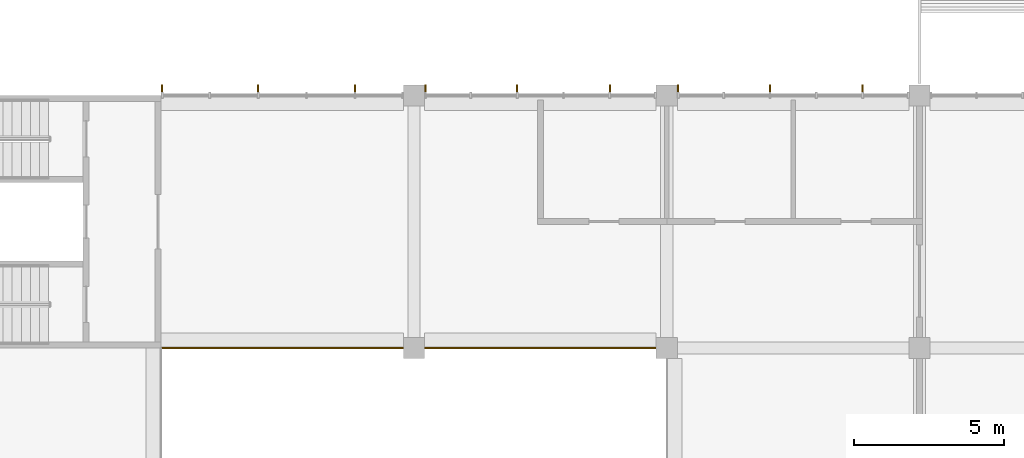
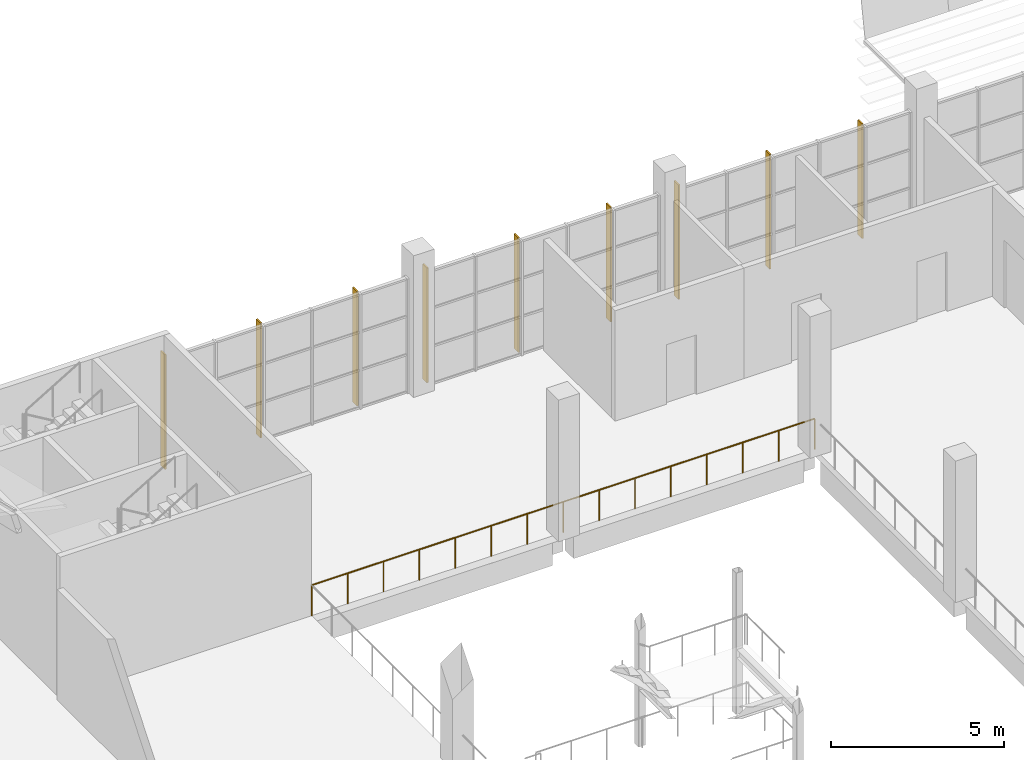
# One storey, part 73 of 82: 9 shading devices, 1 railing.
"""IFC4 building model written with IfcOpenShell, lengths in metres."""

from ifc_helpers import new_model, si_unit, direction, frame, origin, origin_2d, place, context, subcontext, project, spatial, rectangle, circle, extrude, material, material_profile, profile_set, type_object, element, save


model = new_model("IFC4")

# Units and contexts
model_context = context("Model", 3, precision=1e-05, world=origin(), true_north=direction((0.0, 1.0)))
body_context = subcontext(model_context, "Body", "Model", "MODEL_VIEW")
ifc_project = project(units=[si_unit("LENGTHUNIT", "METRE"), si_unit("AREAUNIT", "SQUARE_METRE"), si_unit("VOLUMEUNIT", "CUBIC_METRE"), si_unit("PLANEANGLEUNIT", "RADIAN"), si_unit("MASSUNIT", "GRAM", prefix="KILO")], contexts=[model_context])

# Site, building, storey
site_placement = place(None, origin())
site = spatial("IfcSite", under=ifc_project, at=site_placement, CompositionType="ELEMENT")
building_placement = place(site_placement, origin())
building = spatial("IfcBuilding", under=site, at=building_placement, Name="Almond Square Museum", CompositionType="ELEMENT")
storey_placement = place(building_placement, frame((0.0, 0.0, 20.0)))
storey = spatial("IfcBuildingStorey", under=building, at=storey_placement, Name="L03", CompositionType="ELEMENT", Elevation=20.0)

# Railing
ifc_material_1 = material(Name="Laminated glass and stainless steel", Category="steel")
railing_type = type_object("IfcRailingType", Name="Atrium guard 1100 glass balustrade", PredefinedType="GUARDRAIL", material=ifc_material_1)
railing_placement = place(storey_placement, frame((81.60009765625, 100.800048828125, 0.0)))
element("IfcRailing", 1, at=railing_placement, inside=storey, type_object=railing_type, Name="L03 atrium guard 8", PredefinedType="GUARDRAIL", context=body_context, shape_type="SweptSolid", body=[
    extrude(circle(Radius=0.02392578125, at=origin_2d()), frame((0.0, 0.0, 1.076171875), z_axis=(1.0, 0.0, 0.0), x_axis=(0.0, 1.0, 0.0)), (0.0, 0.0, 1.0), 16.7998046875),
    extrude(circle(Radius=0.02099609375, at=origin_2d()), origin(), (0.0, 0.0, 1.0), 1.052001953125),
    extrude(circle(Radius=0.02099609375, at=origin_2d()), frame((1.199951171875, 0.0, 0.0)), (0.0, 0.0, 1.0), 1.052001953125),
    extrude(circle(Radius=0.02099609375, at=origin_2d()), frame((2.39990234375, 0.0, 0.0)), (0.0, 0.0, 1.0), 1.052001953125),
    extrude(circle(Radius=0.02099609375, at=origin_2d()), frame((3.599853515625, 0.0, 0.0)), (0.0, 0.0, 1.0), 1.052001953125),
    extrude(circle(Radius=0.02099609375, at=origin_2d()), frame((4.800048828125, 0.0, 0.0)), (0.0, 0.0, 1.0), 1.052001953125),
    extrude(circle(Radius=0.02099609375, at=origin_2d()), frame((6.0, 0.0, 0.0)), (0.0, 0.0, 1.0), 1.052001953125),
    extrude(circle(Radius=0.02099609375, at=origin_2d()), frame((7.199951171875, 0.0, 0.0)), (0.0, 0.0, 1.0), 1.052001953125),
    extrude(circle(Radius=0.02099609375, at=origin_2d()), frame((8.39990234375, 0.0, 0.0)), (0.0, 0.0, 1.0), 1.052001953125),
    extrude(circle(Radius=0.02099609375, at=origin_2d()), frame((9.599853515625, 0.0, 0.0)), (0.0, 0.0, 1.0), 1.052001953125),
    extrude(circle(Radius=0.02099609375, at=origin_2d()), frame((10.7998046875, 0.0, 0.0)), (0.0, 0.0, 1.0), 1.052001953125),
    extrude(circle(Radius=0.02099609375, at=origin_2d()), frame((11.999755859375, 0.0, 0.0)), (0.0, 0.0, 1.0), 1.052001953125),
    extrude(circle(Radius=0.02099609375, at=origin_2d()), frame((13.199951171875, 0.0, 0.0)), (0.0, 0.0, 1.0), 1.052001953125),
    extrude(circle(Radius=0.02099609375, at=origin_2d()), frame((14.39990234375, 0.0, 0.0)), (0.0, 0.0, 1.0), 1.052001953125),
    extrude(circle(Radius=0.02099609375, at=origin_2d()), frame((15.599853515625, 0.0, 0.0)), (0.0, 0.0, 1.0), 1.052001953125),
    extrude(circle(Radius=0.02099609375, at=origin_2d()), frame((16.7998046875, 0.0, 0.0)), (0.0, 0.0, 1.0), 1.052001953125),
])

# Shading devices
ifc_material_2 = material(Name="Cedar timber fin", Category="wood")
ifc_material_profile = material_profile(ifc_material_2, rectangle(XDim=0.25, YDim=0.050048828125, at=origin_2d()))
ifc_profile_set = profile_set([ifc_material_profile], Name="Cedar timber fin")
shading_device_type = type_object("IfcShadingDeviceType", Name="Timber fin 250 x 50", PredefinedType="USERDEFINED", material=ifc_profile_set)
for number, where, z_axis, x_axis, name in (
    (2, (98.780029296875, 109.423095703125, 0.0), (0.0, 0.0, 1.0), (0.0, 1.0, 0.0), "Timber fin"),
    (3, (101.830078125, 109.423095703125, 0.0), (0.0, 0.0, 1.0), (0.0, 1.0, 0.0), "Timber fin"),
    (4, (104.909912109375, 109.423095703125, 0.0), (0.0, 0.0, 1.0), (0.0, 1.0, 0.0), "Timber fin"),
    (5, (90.3798828125, 109.423095703125, 0.0), (0.0, 0.0, 1.0), (0.0, 1.0, 0.0), "Timber fin"),
    (6, (93.429931640625, 109.423095703125, 0.0), (0.0, 0.0, 1.0), (0.0, 1.0, 0.0), "Timber fin"),
    (7, (96.510009765625, 109.423095703125, 0.0), (0.0, 0.0, 1.0), (0.0, 1.0, 0.0), "Timber fin"),
    (8, (81.6298828125, 109.423095703125, 0.0), (0.0, 0.0, 1.0), (0.0, 1.0, 0.0), "Timber fin"),
    (9, (84.820068359375, 109.423095703125, 0.0), (0.0, 0.0, 1.0), (0.0, 1.0, 0.0), "Timber fin"),
    (10, (88.0400390625, 109.423095703125, 0.0), (0.0, 0.0, 1.0), (0.0, 1.0, 0.0), "Timber fin"),
):
    element("IfcShadingDevice", number, at=place(storey_placement, frame(where, z_axis=z_axis, x_axis=x_axis)), inside=storey, type_object=shading_device_type, Name=name, ObjectType="FIN", PredefinedType="USERDEFINED", context=body_context, shape_type="SweptSolid", body=[
        extrude(rectangle(XDim=0.25, YDim=0.050048828125, at=origin_2d()), origin(), (0.0, 0.0, 1.0), 4.050048828125),
    ])

save(model, "model.ifc")
